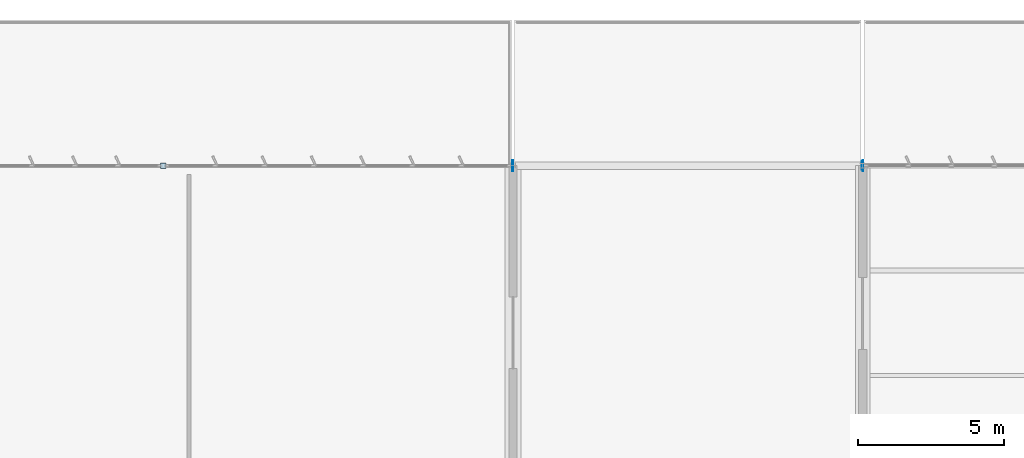
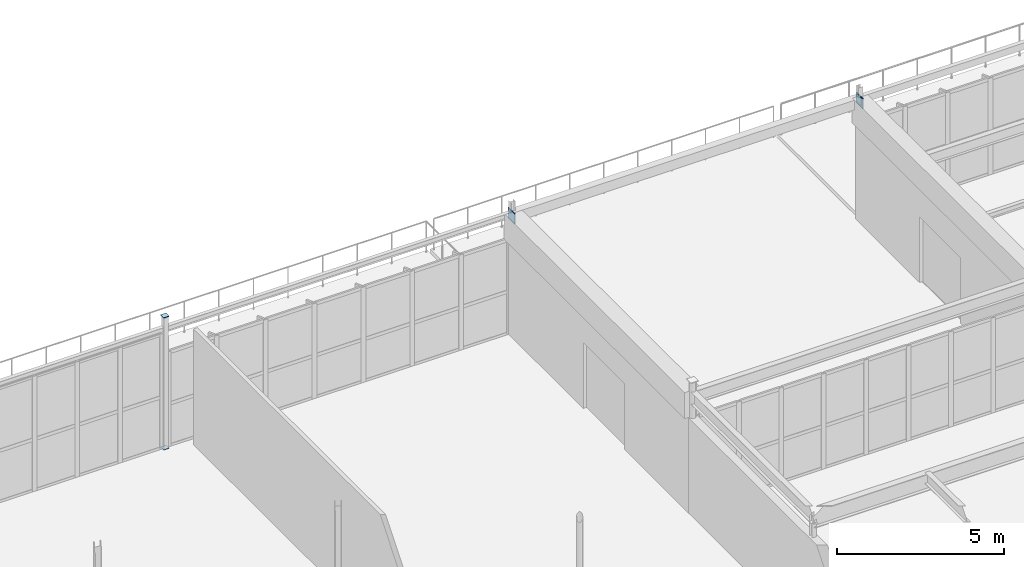
# One storey, part 156 of 199: 5 plates.
"""IFC4 building model written with IfcOpenShell, lengths in metres."""

from ifc_helpers import new_model, si_unit, direction, frame, origin, origin_2d, place, context, subcontext, project, spatial, rectangle, extrude, material, layer, layer_set, type_object, element, save


model = new_model("IFC4")

# Units and contexts
model_context = context("Model", 3, precision=1e-05, world=origin(), true_north=direction((0.0, 1.0)))
body_context = subcontext(model_context, "Body", "Model", "MODEL_VIEW")
ifc_project = project(units=[si_unit("LENGTHUNIT", "METRE"), si_unit("AREAUNIT", "SQUARE_METRE"), si_unit("VOLUMEUNIT", "CUBIC_METRE"), si_unit("PLANEANGLEUNIT", "RADIAN"), si_unit("MASSUNIT", "GRAM", prefix="KILO")], contexts=[model_context])

# Site, building, storey
site_placement = place(None, origin())
site = spatial("IfcSite", under=ifc_project, at=site_placement, CompositionType="ELEMENT")
building_placement = place(site_placement, origin())
building = spatial("IfcBuilding", under=site, at=building_placement, Name="Tarnwether General Hospital", CompositionType="ELEMENT")
storey_placement = place(building_placement, origin())
storey = spatial("IfcBuildingStorey", under=building, at=storey_placement, Name="L00", CompositionType="ELEMENT", Elevation=0.0)

# Plates
ifc_material = material(Name="Steel Grade 350 (350 MPa)", Category="steel")
ifc_layer = layer(ifc_material, 0.02490234375)
ifc_layer_set = layer_set([ifc_layer], Name="Steel Grade 350 (350 MPa)")
plate_type = type_object("IfcPlateType", Name="PT-GUS2", PredefinedType="USERDEFINED", material=ifc_layer_set)
for number, where, z_axis, x_axis, name in (
    (1, (120.0, 126.0, -0.02490234375), (0.0, 0.0, 1.0), (1.0, 0.0, 0.0), "Hollow Section Welded End Cap Plate 0217"),
    (2, (120.0, 126.0, 4.800048828125), (0.0, 0.0, 1.0), (1.0, 0.0, 0.0), "Hollow Section Welded End Cap Plate 0218"),
):
    element("IfcPlate", number, at=place(storey_placement, frame(where, z_axis=z_axis, x_axis=x_axis)), inside=storey, type_object=plate_type, Name=name, ObjectType="GUSSET", PredefinedType="USERDEFINED", context=body_context, shape_type="SweptSolid", body=[
        extrude(rectangle(XDim=0.18994140625, YDim=0.18994140625, at=origin_2d()), origin(), (0.0, 0.0, 1.0), 0.02490234375),
    ])
for number, where, z_axis, x_axis, name in (
    (3, (131.987548828125, 126.0, 4.0751953125), (0.0, 0.0, 1.0), (1.0, 0.0, 0.0), "Hollow Section Welded End Cap Plate 0889"),
    (4, (144.012451171875, 126.0, 4.0751953125), (0.0, 0.0, 1.0), (1.0, 0.0, 0.0), "Hollow Section Welded End Cap Plate 0890"),
):
    element("IfcPlate", number, at=place(storey_placement, frame(where, z_axis=z_axis, x_axis=x_axis)), inside=storey, type_object=plate_type, Name=name, ObjectType="GUSSET", PredefinedType="USERDEFINED", context=body_context, shape_type="SweptSolid", body=[
        extrude(rectangle(XDim=0.02490234375, YDim=0.389892578125, at=origin_2d()), origin(), (0.0, 0.0, 1.0), 0.389892578125),
    ])
plate_placement = place(storey_placement, frame((143.987548828125, 126.0, 4.175048828125), z_axis=(0.0, 0.0, 1.0), x_axis=(1.0, 0.0, 0.0)))
element("IfcPlate", 5, at=plate_placement, inside=storey, type_object=plate_type, Name="Hollow Section Welded End Cap Plate 0891", ObjectType="GUSSET", PredefinedType="USERDEFINED", context=body_context, shape_type="SweptSolid", body=[
    extrude(rectangle(XDim=0.02490234375, YDim=0.2900390625, at=origin_2d()), origin(), (0.0, 0.0, 1.0), 0.2900390625),
])

save(model, "model.ifc")
